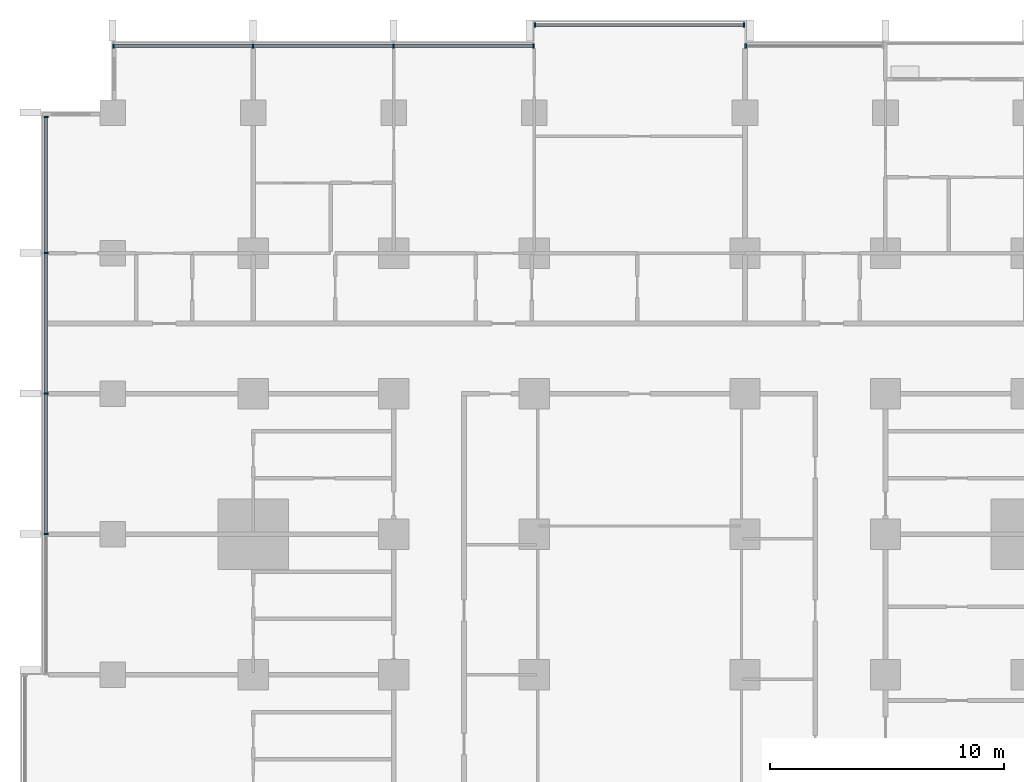
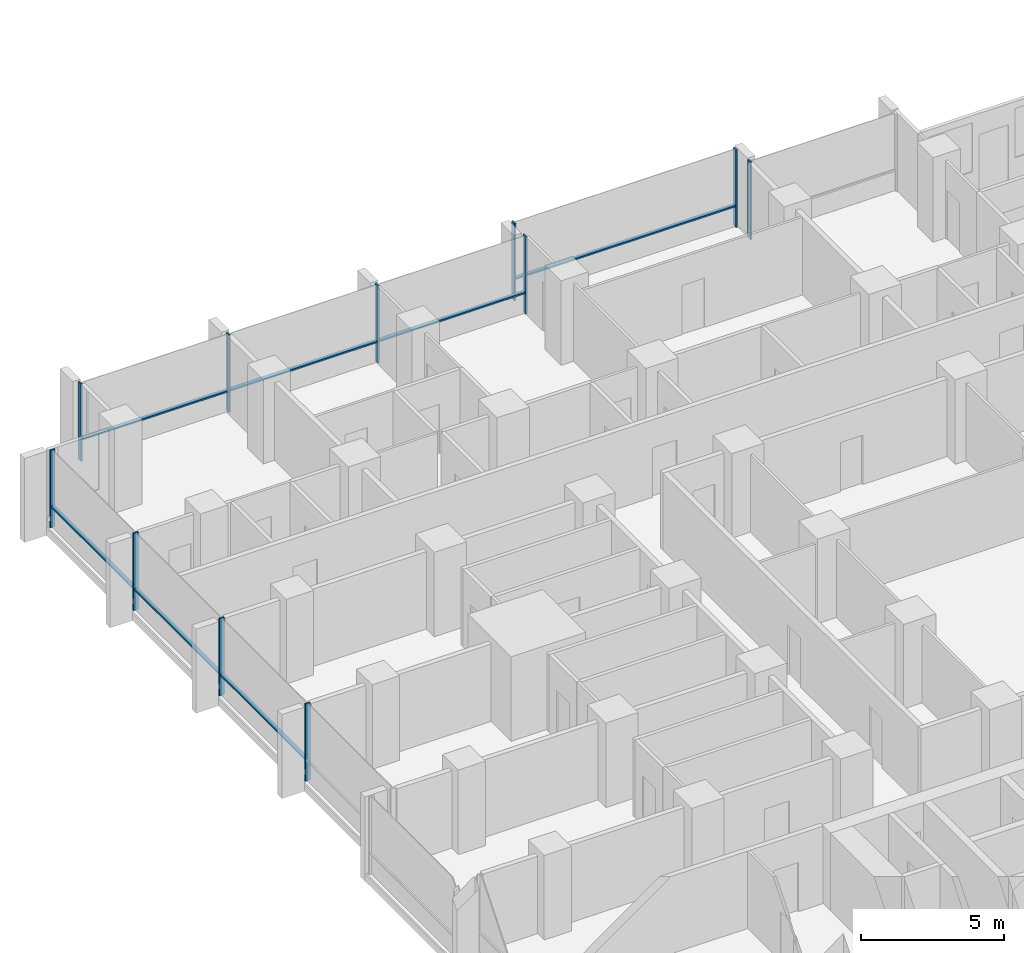
# One storey, part 4 of 18: 18 members, 4 elements without a shape of their own.
"""IFC4 building model written with IfcOpenShell, lengths in metres."""

import ifcopenshell
import ifcopenshell.guid

model = None  # the IFC model being written
_history = None  # IfcOwnerHistory: only IFC2X3 demands one
_inside = {}  # id of a spatial element -> (the spatial element, [elements in it])
_under = {}  # id of a project, library or spatial element -> (it, [spatial elements below it])
_declared = {}  # id of a project -> (the project, [libraries it declares])
_typed = {}  # id of a type object -> (the type object, [elements of that type])
_made_of = {}  # id of a material, layer set ... -> (it, [elements and type objects made of it])


def new_model(schema):
    """Start an empty IFC model of exactly this schema.

    Asked for "IFC4X3", IfcOpenShell would pick the latest addendum, in which some entities
    have other attributes; the version numbers below select the first issue.
    IFC2X3 requires an IfcOwnerHistory on every rooted entity: one is made here for all.
    """
    global model, _history
    if schema == "IFC4X3":
        model = ifcopenshell.file(schema_version=(4, 3, 0, 0))
    else:
        model = ifcopenshell.file(schema=schema)
    _inside.clear()
    _under.clear()
    _declared.clear()
    _typed.clear()
    _made_of.clear()
    _history = None
    if model.schema == "IFC2X3":
        org = make("IfcOrganization", Name="unknown")
        user = make(
            "IfcPersonAndOrganization",
            ThePerson=make("IfcPerson", FamilyName="unknown"),
            TheOrganization=org,
        )
        app = make(
            "IfcApplication",
            ApplicationDeveloper=org,
            Version="unknown",
            ApplicationFullName="unknown",
            ApplicationIdentifier="unknown",
        )
        _history = make(
            "IfcOwnerHistory",
            OwningUser=user,
            OwningApplication=app,
            ChangeAction="ADDED",
            CreationDate=0,
        )
    return model


def make(cls, **values):
    """One entity of the class cls with the attributes given. An attribute that is None is left unset."""
    return model.create_entity(
        cls, **{name: value for name, value in values.items() if value is not None}
    )


def rooted(cls, **values):
    """An entity with a GlobalId (a new one), such as an element, a storey or a relation."""
    return make(cls, GlobalId=ifcopenshell.guid.new(), OwnerHistory=_history, **values)


def si_unit(unit_type, name, prefix=None):
    """IfcSIUnit, for example si_unit("LENGTHUNIT", "METRE", prefix="MILLI")."""
    return make("IfcSIUnit", UnitType=unit_type, Prefix=prefix, Name=name)


def assignment(units):
    """IfcUnitAssignment: the units of a project."""
    return None if units is None else make("IfcUnitAssignment", Units=units)


def point(xyz):
    """IfcCartesianPoint."""
    return None if xyz is None else make("IfcCartesianPoint", Coordinates=xyz)


def direction(xyz):
    """IfcDirection."""
    return None if xyz is None else make("IfcDirection", DirectionRatios=xyz)


def frame(location, z_axis=None, x_axis=None):
    """IfcAxis2Placement3D, a coordinate frame: its origin and axes. An axis left out is left unset."""
    return make(
        "IfcAxis2Placement3D",
        Location=point(location),
        Axis=direction(z_axis),
        RefDirection=direction(x_axis),
    )


def frame_2d(location, x_axis=None):
    """IfcAxis2Placement2D, a coordinate frame in the plane: its origin and x axis."""
    return make(
        "IfcAxis2Placement2D", Location=point(location), RefDirection=direction(x_axis)
    )


def origin():
    """The frame at (0, 0, 0) with its axes left unset."""
    return frame((0.0, 0.0, 0.0))


def origin_2d():
    """The frame at (0, 0) in the plane with its x axis left unset."""
    return frame_2d((0.0, 0.0))


def place(relative_to, where):
    """IfcLocalPlacement: puts the frame where relative to a parent placement (None: the world)."""
    return make(
        "IfcLocalPlacement", PlacementRelTo=relative_to, RelativePlacement=where
    )


def context(
    kind, dimensions, precision=None, world=None, true_north=None, identifier=None
):
    """IfcGeometricRepresentationContext, for example the 3D "Model" context."""
    return make(
        "IfcGeometricRepresentationContext",
        ContextIdentifier=identifier,
        ContextType=kind,
        CoordinateSpaceDimension=dimensions,
        Precision=precision,
        WorldCoordinateSystem=world,
        TrueNorth=true_north,
    )


def subcontext(parent, identifier, kind, view, scale=None):
    """IfcGeometricRepresentationSubContext, for example "Body" below "Model"."""
    return make(
        "IfcGeometricRepresentationSubContext",
        ContextIdentifier=identifier,
        ContextType=kind,
        ParentContext=parent,
        TargetScale=scale,
        TargetView=view,
    )


def project(units=None, contexts=None):
    """IfcProject with its units and contexts."""
    return rooted(
        "IfcProject",
        Name="project",
        RepresentationContexts=contexts,
        UnitsInContext=assignment(units),
    )


def spatial(cls, under=None, at=None, **own):
    """A site, building, storey or space (cls), placed at a placement, below another one or the project."""
    s = rooted(cls, ObjectPlacement=at, **own)
    if under is not None:
        _under.setdefault(under.id(), (under, []))[1].append(s)
    return s


def profile(cls, at=None, kind="AREA", **sizes):
    """A parametric profile (cls). Its sizes go by their IFC names, for example OverallWidth=200.0."""
    return make(cls, ProfileType=kind, Position=at, **sizes)


def rectangle(**sizes):
    """IfcRectangleProfileDef."""
    return profile("IfcRectangleProfileDef", **sizes)


def extrude(swept, where, along, depth):
    """IfcExtrudedAreaSolid: the profile swept, set in the frame where, extruded along a direction by depth."""
    return make(
        "IfcExtrudedAreaSolid",
        SweptArea=swept,
        Position=where,
        ExtrudedDirection=direction(along),
        Depth=depth,
    )


def shape(context_of_items, identifier, shape_type, items):
    """IfcShapeRepresentation: the items that make up one representation, for example the "Body"."""
    return make(
        "IfcShapeRepresentation",
        ContextOfItems=context_of_items,
        RepresentationIdentifier=identifier,
        RepresentationType=shape_type,
        Items=items,
    )


def material(Name=None, Category=None):
    """IfcMaterial."""
    return make("IfcMaterial", Name=Name, Category=Category)


def material_profile(
    of_material, cross_section, Name=None, Category=None, Priority=None
):
    """IfcMaterialProfile: a cross section and its material."""
    return make(
        "IfcMaterialProfile",
        Name=Name,
        Material=of_material,
        Profile=cross_section,
        Priority=Priority,
        Category=Category,
    )


def profile_set(profiles, Name=None, composite=None):
    """IfcMaterialProfileSet."""
    return make(
        "IfcMaterialProfileSet",
        Name=Name,
        MaterialProfiles=profiles,
        CompositeProfile=composite,
    )


def made_of(thing, what):
    """Note that an element or type object is made of a material, layer set ...; save() writes the relation."""
    if what is not None:
        _made_of.setdefault(what.id(), (what, []))[1].append(thing)
    return thing


def type_object(cls, material=None, **own):
    """A type object (cls), such as IfcWallType, which elements share."""
    return made_of(rooted(cls, **own), material)


def element(
    cls,
    number,
    at=None,
    inside=None,
    cuts=None,
    type_object=None,
    material=None,
    context=None,
    identifier="Body",
    shape_type=None,
    held_by="IfcProductDefinitionShape",
    body=None,
    shapes=None,
    **own,
):
    """One element of the class cls, such as IfcWall. Its Tag is "e" and its number.

    at: its placement. inside: the storey or other place that contains it. cuts: it is an
    opening in that element (IfcRelVoidsElement). A single representation is given by context,
    identifier, shape_type and body (its items); several are given by shapes. held_by: the class
    of the entity that holds the representations. save() writes the other relations.
    """
    e = rooted(cls, Tag="e%d" % number, ObjectPlacement=at, **own)
    if body is not None:
        shapes = [shape(context, identifier, shape_type, body)]
    if shapes is not None:
        e.Representation = make(held_by, Representations=shapes)
    if inside is not None:
        _inside.setdefault(inside.id(), (inside, []))[1].append(e)
    if cuts is not None:
        rooted(
            "IfcRelVoidsElement", RelatingBuildingElement=cuts, RelatedOpeningElement=e
        )
    if type_object is not None:
        _typed.setdefault(type_object.id(), (type_object, []))[1].append(e)
    return made_of(e, material)


def aggregate(whole, parts):
    """IfcRelAggregates: a whole, such as a stair, and the parts it consists of."""
    return rooted("IfcRelAggregates", RelatingObject=whole, RelatedObjects=parts)


def save(model, path):
    """Write the relations noted so far, then the file.

    IfcRelAggregates (storeys below a building ...), IfcRelContainedInSpatialStructure (elements
    in a storey), IfcRelDefinesByType, IfcRelAssociatesMaterial and IfcRelDeclares: one each for
    every whole, place, type object, material and project.
    """
    for whole, parts in _under.values():
        aggregate(whole, parts)
    for where, things in _inside.values():
        rooted(
            "IfcRelContainedInSpatialStructure",
            RelatedElements=things,
            RelatingStructure=where,
        )
    for kind, things in _typed.values():
        rooted("IfcRelDefinesByType", RelatedObjects=things, RelatingType=kind)
    for what, things in _made_of.values():
        rooted("IfcRelAssociatesMaterial", RelatedObjects=things, RelatingMaterial=what)
    for by, libraries in _declared.values():
        rooted("IfcRelDeclares", RelatingContext=by, RelatedDefinitions=libraries)
    model.write(path)


model = new_model("IFC4")

# Units and contexts
model_context = context("Model", 3, precision=1e-05, world=origin(), true_north=direction((0.0, 1.0)))
body_context = subcontext(model_context, "Body", "Model", "MODEL_VIEW")
ifc_project = project(units=[si_unit("LENGTHUNIT", "METRE"), si_unit("AREAUNIT", "SQUARE_METRE"), si_unit("VOLUMEUNIT", "CUBIC_METRE"), si_unit("PLANEANGLEUNIT", "RADIAN"), si_unit("MASSUNIT", "GRAM", prefix="KILO")], contexts=[model_context])

# Site, building, storey
site_placement = place(None, origin())
site = spatial("IfcSite", under=ifc_project, at=site_placement, CompositionType="ELEMENT")
building_placement = place(site_placement, origin())
building = spatial("IfcBuilding", under=site, at=building_placement, Name="Finial Court Residences", CompositionType="ELEMENT")
storey_placement = place(building_placement, frame((0.0, 0.0, 68.5)))
storey = spatial("IfcBuildingStorey", under=building, at=storey_placement, Name="L16", CompositionType="ELEMENT", Elevation=68.5)

# Curtain wall, members
ifc_material = material(Name="Bronze anodised aluminium", Category="aluminium")
curtain_wall_type = type_object("IfcCurtainWallType", Name="Unitised curtain wall, lower and middle zones", PredefinedType="NOTDEFINED", material=ifc_material)
curtain_wall_1_placement = place(storey_placement, origin())
curtain_wall_1 = element("IfcCurtainWall", 1, at=curtain_wall_1_placement, inside=storey, type_object=curtain_wall_type, Name="E-L16-CW-N1", PredefinedType="NOTDEFINED")
ifc_material_profile_1 = material_profile(ifc_material, rectangle(XDim=0.199951171875, YDim=0.06494140625, at=origin_2d()), Name="CW1 mullion 65 x 200")
ifc_profile_set_1 = profile_set([ifc_material_profile_1], Name="Bronze anodised aluminium")
member_type_1 = type_object("IfcMemberType", Name="CW1 mullion 65 x 200", PredefinedType="MULLION", material=ifc_profile_set_1)
member_1_placement = place(storey_placement, frame((-22.467529296875, 28.35009765625, 0.0), z_axis=(0.0, 0.0, 1.0), x_axis=(0.0, 1.0, 0.0)))
member_1 = element("IfcMember", 2, at=member_1_placement, type_object=member_type_1, Name="CW1 mullion 1", PredefinedType="MULLION", context=body_context, shape_type="SweptSolid", body=[
    extrude(rectangle(XDim=0.199951171875, YDim=0.06494140625, at=origin_2d()), origin(), (0.0, 0.0, 1.0), 3.300048828125),
])
member_2_placement = place(storey_placement, frame((-16.5, 28.35009765625, 0.0), z_axis=(0.0, 0.0, 1.0), x_axis=(0.0, 1.0, 0.0)))
member_2 = element("IfcMember", 3, at=member_2_placement, type_object=member_type_1, Name="CW1 mullion 2", PredefinedType="MULLION", context=body_context, shape_type="SweptSolid", body=[
    extrude(rectangle(XDim=0.199951171875, YDim=0.06494140625, at=origin_2d()), origin(), (0.0, 0.0, 1.0), 3.300048828125),
])
member_3_placement = place(storey_placement, frame((-10.5, 28.35009765625, 0.0), z_axis=(0.0, 0.0, 1.0), x_axis=(0.0, 1.0, 0.0)))
member_3 = element("IfcMember", 4, at=member_3_placement, type_object=member_type_1, Name="CW1 mullion 3", PredefinedType="MULLION", context=body_context, shape_type="SweptSolid", body=[
    extrude(rectangle(XDim=0.199951171875, YDim=0.06494140625, at=origin_2d()), origin(), (0.0, 0.0, 1.0), 3.300048828125),
])
member_4_placement = place(storey_placement, frame((-4.532470703125, 28.35009765625, 0.0), z_axis=(0.0, 0.0, 1.0), x_axis=(0.0, 1.0, 0.0)))
member_4 = element("IfcMember", 5, at=member_4_placement, type_object=member_type_1, Name="CW1 mullion 4", PredefinedType="MULLION", context=body_context, shape_type="SweptSolid", body=[
    extrude(rectangle(XDim=0.199951171875, YDim=0.06494140625, at=origin_2d()), origin(), (0.0, 0.0, 1.0), 3.300048828125),
])

curtain_wall_2_placement = place(storey_placement, origin())
curtain_wall_2 = element("IfcCurtainWall", 6, at=curtain_wall_2_placement, inside=storey, type_object=curtain_wall_type, Name="E-L16-CW-N2", PredefinedType="NOTDEFINED")
member_5_placement = place(storey_placement, frame((-4.467529296875, 29.25, 0.0), z_axis=(0.0, 0.0, 1.0), x_axis=(0.0, 1.0, 0.0)))
member_5 = element("IfcMember", 7, at=member_5_placement, type_object=member_type_1, Name="CW1 mullion 1", PredefinedType="MULLION", context=body_context, shape_type="SweptSolid", body=[
    extrude(rectangle(XDim=0.199951171875, YDim=0.06494140625, at=origin_2d()), origin(), (0.0, 0.0, 1.0), 3.300048828125),
])
member_6_placement = place(storey_placement, frame((4.467529296875, 29.25, 0.0), z_axis=(0.0, 0.0, 1.0), x_axis=(0.0, 1.0, 0.0)))
member_6 = element("IfcMember", 8, at=member_6_placement, type_object=member_type_1, Name="CW1 mullion 2", PredefinedType="MULLION", context=body_context, shape_type="SweptSolid", body=[
    extrude(rectangle(XDim=0.199951171875, YDim=0.06494140625, at=origin_2d()), origin(), (0.0, 0.0, 1.0), 3.300048828125),
])

# Curtain wall, member
curtain_wall_3_placement = place(storey_placement, origin())
curtain_wall_3 = element("IfcCurtainWall", 9, at=curtain_wall_3_placement, inside=storey, type_object=curtain_wall_type, Name="E-L16-CW-N3", PredefinedType="NOTDEFINED")
member_7_placement = place(storey_placement, frame((4.532470703125, 28.35009765625, 0.0), z_axis=(0.0, 0.0, 1.0), x_axis=(0.0, 1.0, 0.0)))
member_7 = element("IfcMember", 10, at=member_7_placement, type_object=member_type_1, Name="CW1 mullion 1", PredefinedType="MULLION", context=body_context, shape_type="SweptSolid", body=[
    extrude(rectangle(XDim=0.199951171875, YDim=0.06494140625, at=origin_2d()), origin(), (0.0, 0.0, 1.0), 3.300048828125),
])
aggregate(curtain_wall_3, [member_7])

# Curtain wall, members
curtain_wall_4_placement = place(storey_placement, origin())
curtain_wall_4 = element("IfcCurtainWall", 11, at=curtain_wall_4_placement, inside=storey, type_object=curtain_wall_type, Name="E-L16-CW-W13", PredefinedType="NOTDEFINED")
member_8_placement = place(storey_placement, frame((-25.35009765625, 7.5, 0.0), z_axis=(0.0, 0.0, 1.0), x_axis=(-1.0, 0.0, 0.0)))
member_8 = element("IfcMember", 12, at=member_8_placement, type_object=member_type_1, Name="CW1 mullion 2", PredefinedType="MULLION", context=body_context, shape_type="SweptSolid", body=[
    extrude(rectangle(XDim=0.199951171875, YDim=0.06494140625, at=origin_2d()), origin(), (0.0, 0.0, 1.0), 3.300048828125),
])
member_9_placement = place(storey_placement, frame((-25.35009765625, 13.5, 0.0), z_axis=(0.0, 0.0, 1.0), x_axis=(-1.0, 0.0, 0.0)))
member_9 = element("IfcMember", 13, at=member_9_placement, type_object=member_type_1, Name="CW1 mullion 3", PredefinedType="MULLION", context=body_context, shape_type="SweptSolid", body=[
    extrude(rectangle(XDim=0.199951171875, YDim=0.06494140625, at=origin_2d()), origin(), (0.0, 0.0, 1.0), 3.300048828125),
])
member_10_placement = place(storey_placement, frame((-25.35009765625, 19.5, 0.0), z_axis=(0.0, 0.0, 1.0), x_axis=(-1.0, 0.0, 0.0)))
member_10 = element("IfcMember", 14, at=member_10_placement, type_object=member_type_1, Name="CW1 mullion 4", PredefinedType="MULLION", context=body_context, shape_type="SweptSolid", body=[
    extrude(rectangle(XDim=0.199951171875, YDim=0.06494140625, at=origin_2d()), origin(), (0.0, 0.0, 1.0), 3.300048828125),
])
member_11_placement = place(storey_placement, frame((-25.35009765625, 25.3173828125, 0.0), z_axis=(0.0, 0.0, 1.0), x_axis=(-1.0, 0.0, 0.0)))
member_11 = element("IfcMember", 15, at=member_11_placement, type_object=member_type_1, Name="CW1 mullion 5", PredefinedType="MULLION", context=body_context, shape_type="SweptSolid", body=[
    extrude(rectangle(XDim=0.199951171875, YDim=0.06494140625, at=origin_2d()), origin(), (0.0, 0.0, 1.0), 3.300048828125),
])

# Member
ifc_material_profile_2 = material_profile(ifc_material, rectangle(XDim=0.14990234375, YDim=0.06494140625, at=origin_2d()), Name="CW1 transom 65 x 150")
ifc_profile_set_2 = profile_set([ifc_material_profile_2], Name="Bronze anodised aluminium")
member_type_2 = type_object("IfcMemberType", Name="CW1 transom 65 x 150", PredefinedType="USERDEFINED", material=ifc_profile_set_2)
member_12_placement = place(storey_placement, frame((-22.43505859375, 28.35009765625, 0.89990234375), z_axis=(1.0, 0.0, 0.0), x_axis=(0.0, 1.0, 0.0)))
member_12 = element("IfcMember", 16, at=member_12_placement, type_object=member_type_2, Name="CW1 transom 1.1", ObjectType="TRANSOM", PredefinedType="USERDEFINED", context=body_context, shape_type="SweptSolid", body=[
    extrude(rectangle(XDim=0.14990234375, YDim=0.06494140625, at=origin_2d()), origin(), (0.0, 0.0, 1.0), 5.902587890625),
])

member_13_placement = place(storey_placement, frame((-16.467529296875, 28.35009765625, 0.89990234375), z_axis=(1.0, 0.0, 0.0), x_axis=(0.0, 1.0, 0.0)))
member_13 = element("IfcMember", 17, at=member_13_placement, type_object=member_type_2, Name="CW1 transom 2.1", ObjectType="TRANSOM", PredefinedType="USERDEFINED", context=body_context, shape_type="SweptSolid", body=[
    extrude(rectangle(XDim=0.14990234375, YDim=0.06494140625, at=origin_2d()), origin(), (0.0, 0.0, 1.0), 5.93505859375),
])

member_14_placement = place(storey_placement, frame((-10.467529296875, 28.35009765625, 0.89990234375), z_axis=(1.0, 0.0, 0.0), x_axis=(0.0, 1.0, 0.0)))
member_14 = element("IfcMember", 18, at=member_14_placement, type_object=member_type_2, Name="CW1 transom 3.1", ObjectType="TRANSOM", PredefinedType="USERDEFINED", context=body_context, shape_type="SweptSolid", body=[
    extrude(rectangle(XDim=0.14990234375, YDim=0.06494140625, at=origin_2d()), origin(), (0.0, 0.0, 1.0), 5.902587890625),
])

aggregate(curtain_wall_1, [member_1, member_2, member_3, member_4, member_12, member_13, member_14])

member_15_placement = place(storey_placement, frame((-4.43505859375, 29.25, 0.89990234375), z_axis=(1.0, 0.0, 0.0), x_axis=(0.0, 1.0, 0.0)))
member_15 = element("IfcMember", 19, at=member_15_placement, type_object=member_type_2, Name="CW1 transom 1.1", ObjectType="TRANSOM", PredefinedType="USERDEFINED", context=body_context, shape_type="SweptSolid", body=[
    extrude(rectangle(XDim=0.14990234375, YDim=0.06494140625, at=origin_2d()), origin(), (0.0, 0.0, 1.0), 8.8701171875),
])

aggregate(curtain_wall_2, [member_5, member_6, member_15])

member_16_placement = place(storey_placement, frame((-25.35009765625, 7.532470703125, 0.89990234375), z_axis=(0.0, 1.0, 0.0), x_axis=(-1.0, 0.0, 0.0)))
member_16 = element("IfcMember", 20, at=member_16_placement, type_object=member_type_2, Name="CW1 transom 2.1", ObjectType="TRANSOM", PredefinedType="USERDEFINED", context=body_context, shape_type="SweptSolid", body=[
    extrude(rectangle(XDim=0.14990234375, YDim=0.06494140625, at=origin_2d()), origin(), (0.0, 0.0, 1.0), 5.93505859375),
])

member_17_placement = place(storey_placement, frame((-25.35009765625, 13.532470703125, 0.89990234375), z_axis=(0.0, 1.0, 0.0), x_axis=(-1.0, 0.0, 0.0)))
member_17 = element("IfcMember", 21, at=member_17_placement, type_object=member_type_2, Name="CW1 transom 3.1", ObjectType="TRANSOM", PredefinedType="USERDEFINED", context=body_context, shape_type="SweptSolid", body=[
    extrude(rectangle(XDim=0.14990234375, YDim=0.06494140625, at=origin_2d()), origin(), (0.0, 0.0, 1.0), 5.93505859375),
])

member_18_placement = place(storey_placement, frame((-25.35009765625, 19.532470703125, 0.89990234375), z_axis=(0.0, 1.0, 0.0), x_axis=(-1.0, 0.0, 0.0)))
member_18 = element("IfcMember", 22, at=member_18_placement, type_object=member_type_2, Name="CW1 transom 4.1", ObjectType="TRANSOM", PredefinedType="USERDEFINED", context=body_context, shape_type="SweptSolid", body=[
    extrude(rectangle(XDim=0.14990234375, YDim=0.06494140625, at=origin_2d()), origin(), (0.0, 0.0, 1.0), 5.75244140625),
])

aggregate(curtain_wall_4, [member_8, member_9, member_10, member_11, member_16, member_17, member_18])

save(model, "model.ifc")
